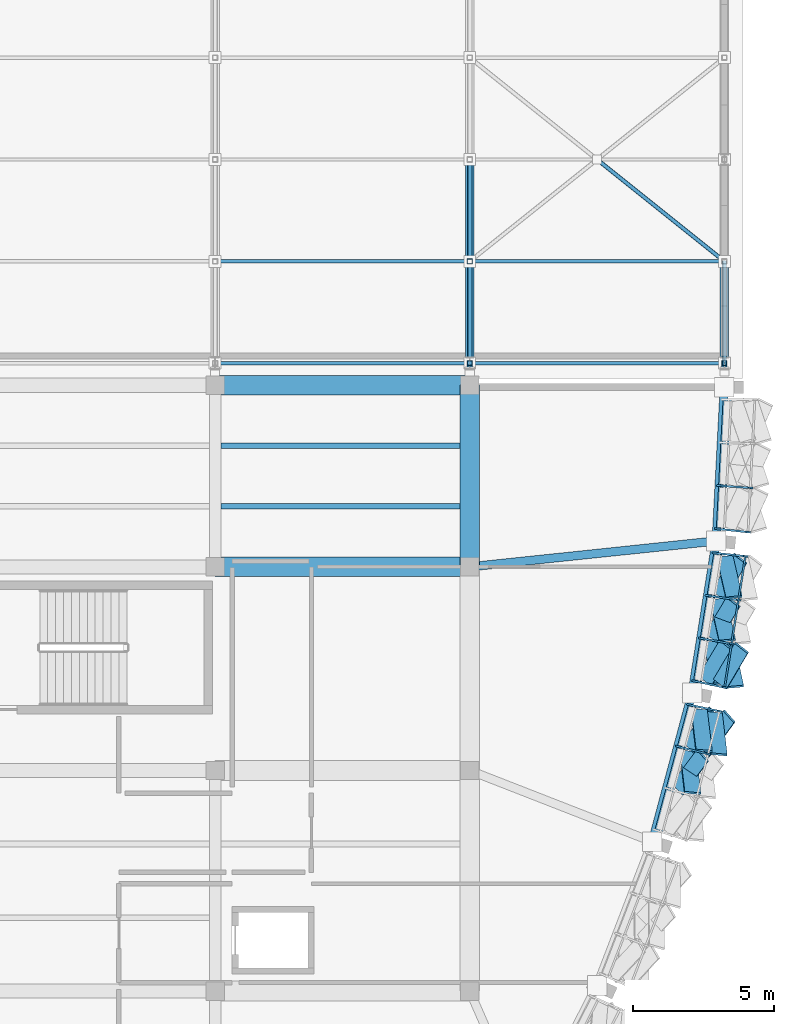
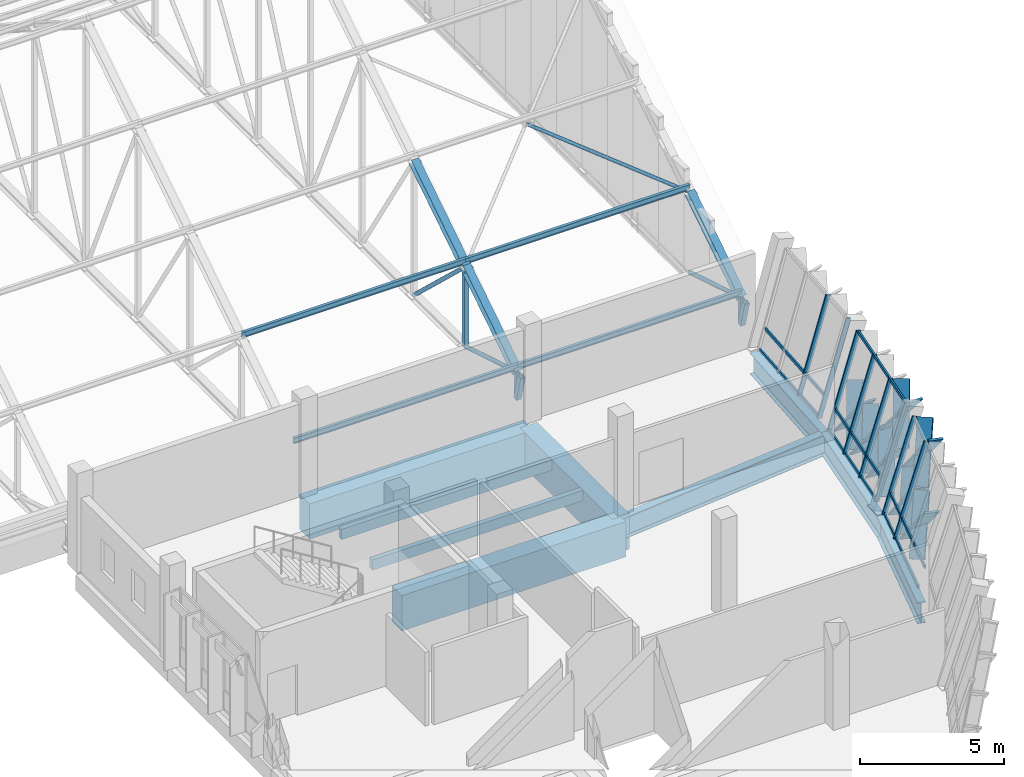
# One storey, part 102 of 182: 45 members, 9 beams, 3 elements without a shape of their own.
"""IFC4 building model written with IfcOpenShell, lengths in metres."""

from ifc_helpers import new_model, si_unit, direction, frame, origin, origin_2d, place, context, subcontext, project, spatial, rectangle, hollow_rectangle, hollow_circle, i_section, extrude, material, material_profile, profile_set, type_object, element, aggregate, save


model = new_model("IFC4")

# Units and contexts
model_context = context("Model", 3, precision=1e-05, world=origin(), true_north=direction((0.0, 1.0)))
body_context = subcontext(model_context, "Body", "Model", "MODEL_VIEW")
ifc_project = project(units=[si_unit("LENGTHUNIT", "METRE"), si_unit("AREAUNIT", "SQUARE_METRE"), si_unit("VOLUMEUNIT", "CUBIC_METRE"), si_unit("PLANEANGLEUNIT", "RADIAN"), si_unit("MASSUNIT", "GRAM", prefix="KILO")], contexts=[model_context])

# Site, building, storey
site_placement = place(None, origin())
site = spatial("IfcSite", under=ifc_project, at=site_placement, CompositionType="ELEMENT")
building_placement = place(site_placement, origin())
building = spatial("IfcBuilding", under=site, at=building_placement, Name="Chiffa Square Polytechnic", CompositionType="ELEMENT")
storey_placement = place(building_placement, frame((0.0, 0.0, 9.60009765625)))
storey = spatial("IfcBuildingStorey", under=building, at=storey_placement, Name="L02", CompositionType="ELEMENT", Elevation=9.60009765625)

# Beams
ifc_material_1 = material(Name="Concrete C40/50", Category="concrete")
ifc_material_profile_1 = material_profile(ifc_material_1, rectangle(XDim=0.699951171875, YDim=1.5, at=origin_2d()), Name="RC 700x1500")
ifc_profile_set_1 = profile_set([ifc_material_profile_1], Name="Concrete C40/50")
beam_type_1 = type_object("IfcBeamType", Name="BM-RC-700X1500", PredefinedType="BEAM", material=ifc_profile_set_1)
for number, where, z_axis, x_axis, name in (
    (1, (157.199951171875, 51.0, -1.070068359375), (1.0, 0.0, 0.0), (0.0, 1.0, 0.0), "Primary floor girder BM-V1-L02-X-1572-0510"),
    (2, (157.199951171875, 57.419921875, -1.070068359375), (1.0, 0.0, 0.0), (0.0, 1.0, 0.0), "Primary floor girder BM-V1-L02-X-1572-0574"),
):
    element("IfcBeam", number, at=place(storey_placement, frame(where, z_axis=z_axis, x_axis=x_axis)), inside=storey, type_object=beam_type_1, Name=name, PredefinedType="BEAM", context=body_context, shape_type="SweptSolid", body=[
        extrude(rectangle(XDim=0.699951171875, YDim=1.5, at=origin_2d()), origin(), (0.0, 0.0, 1.0), 9.0),
    ])
beam_1_placement = place(storey_placement, frame((166.199951171875, 51.0, -1.070068359375), z_axis=(0.0, 1.0, 0.0), x_axis=(-1.0, 0.0, 0.0)))
element("IfcBeam", 3, at=beam_1_placement, inside=storey, type_object=beam_type_1, Name="Primary floor girder BM-V1-L02-Y-1662-0510", PredefinedType="BEAM", context=body_context, shape_type="SweptSolid", body=[
    extrude(rectangle(XDim=0.699951171875, YDim=1.5, at=origin_2d()), origin(), (0.0, 0.0, 1.0), 6.419921875),
])

# Curtain wall, members
ifc_material_2 = material(Name="Aluminium EN AW-6060 T66 and glulam shading", Category="wood")
curtain_wall_type_1 = type_object("IfcCurtainWallType", Name="CW-PROW-LEAN-150", PredefinedType="USERDEFINED", material=ifc_material_2)
curtain_wall_1_placement = place(storey_placement, origin())
curtain_wall_1 = element("IfcCurtainWall", 4, at=curtain_wall_1_placement, inside=storey, type_object=curtain_wall_type_1, Name="Outward-leaning diamond-fin prow curtain wall CW-V1-L02-041", ObjectType="CURTAIN WALL", PredefinedType="USERDEFINED")
ifc_material_3 = material(Name="Aluminium EN AW-6060 T66", Category="aluminium")
ifc_material_profile_2 = material_profile(ifc_material_3, hollow_rectangle(XDim=0.06494140625, YDim=0.179931640625, WallThickness=0.00390625, at=origin_2d()), Name="ALU 65x180x4")
ifc_profile_set_2 = profile_set([ifc_material_profile_2], Name="Aluminium EN AW-6060 T66")
member_type_1 = type_object("IfcMemberType", Name="CWM-ALU-75X180", PredefinedType="MULLION", material=ifc_profile_set_2)
member_1_placement = place(storey_placement, frame((173.557373046875, 44.64794921875, 0.0), z_axis=(0.263753372228, -0.065774354413, 0.962344996838), x_axis=(0.241967796019, 0.970284280863, 0.0)))
member_1 = element("IfcMember", 5, at=member_1_placement, type_object=member_type_1, Name="Leaning prow mullion CW-V1-L02-041-M02", PredefinedType="MULLION", context=body_context, shape_type="SweptSolid", body=[
    extrude(hollow_rectangle(XDim=0.06494140625, YDim=0.179931640625, WallThickness=0.00390625, at=origin_2d()), origin(), (0.0, 0.0, 1.0), 4.093994140625),
])
member_2_placement = place(storey_placement, frame((173.952880859375, 46.1240234375, 0.0), z_axis=(0.266229910948, -0.056644661904, 0.962243740845), x_axis=(0.208107644465, 0.978105928985, 0.0)))
member_2 = element("IfcMember", 6, at=member_2_placement, type_object=member_type_1, Name="Leaning prow mullion CW-V1-L02-041-M03", PredefinedType="MULLION", context=body_context, shape_type="SweptSolid", body=[
    extrude(hollow_rectangle(XDim=0.06494140625, YDim=0.179931640625, WallThickness=0.00390625, at=origin_2d()), origin(), (0.0, 0.0, 1.0), 4.094482421875),
])

curtain_wall_type_2 = type_object("IfcCurtainWallType", Name="CW-PROW-LEAN-300", PredefinedType="USERDEFINED", material=ifc_material_2)
curtain_wall_2_placement = place(storey_placement, origin())
curtain_wall_2 = element("IfcCurtainWall", 7, at=curtain_wall_2_placement, inside=storey, type_object=curtain_wall_type_2, Name="Outward-leaning diamond-fin prow curtain wall CW-V1-L02-042", ObjectType="CURTAIN WALL", PredefinedType="USERDEFINED")
member_3_placement = place(storey_placement, frame((174.131103515625, 46.964111328125, 0.0), z_axis=(0.26617361036, -0.056704996293, 0.962255762541), x_axis=(0.208361843822, 0.978051809486, 0.0)))
member_3 = element("IfcMember", 8, at=member_3_placement, type_object=member_type_1, Name="Leaning prow mullion CW-V1-L02-042-M00", PredefinedType="MULLION", context=body_context, shape_type="SweptSolid", body=[
    extrude(hollow_rectangle(XDim=0.06494140625, YDim=0.179931640625, WallThickness=0.00390625, at=origin_2d()), origin(), (0.0, 0.0, 1.0), 4.094482421875),
])
member_4_placement = place(storey_placement, frame((174.3701171875, 48.47265625, 0.0), z_axis=(0.267744251858, -0.04728757054, 0.962328894541), x_axis=(0.173922960933, 0.984759261779, 0.0)))
member_4 = element("IfcMember", 9, at=member_4_placement, type_object=member_type_1, Name="Leaning prow mullion CW-V1-L02-042-M01", PredefinedType="MULLION", context=body_context, shape_type="SweptSolid", body=[
    extrude(hollow_rectangle(XDim=0.06494140625, YDim=0.179931640625, WallThickness=0.00390625, at=origin_2d()), origin(), (0.0, 0.0, 1.0), 4.09423828125),
])
member_5_placement = place(storey_placement, frame((174.60888671875, 49.981201171875, 0.0), z_axis=(0.269345275205, -0.037924196376, 0.962296668421), x_axis=(0.139426135384, 0.990232474105, 0.0)))
member_5 = element("IfcMember", 10, at=member_5_placement, type_object=member_type_1, Name="Leaning prow mullion CW-V1-L02-042-M02", PredefinedType="MULLION", context=body_context, shape_type="SweptSolid", body=[
    extrude(hollow_rectangle(XDim=0.06494140625, YDim=0.179931640625, WallThickness=0.00390625, at=origin_2d()), origin(), (0.0, 0.0, 1.0), 4.09423828125),
])
member_6_placement = place(storey_placement, frame((174.847900390625, 51.489990234375, 0.0), z_axis=(0.270866500653, -0.028559333879, 0.962193173574), x_axis=(0.104855709143, 0.994487446004, 0.0)))
member_6 = element("IfcMember", 11, at=member_6_placement, type_object=member_type_1, Name="Leaning prow mullion CW-V1-L02-042-M03", PredefinedType="MULLION", context=body_context, shape_type="SweptSolid", body=[
    extrude(hollow_rectangle(XDim=0.06494140625, YDim=0.179931640625, WallThickness=0.00390625, at=origin_2d()), origin(), (0.0, 0.0, 1.0), 4.0947265625),
])

curtain_wall_3_placement = place(storey_placement, origin())
curtain_wall_3 = element("IfcCurtainWall", 12, at=curtain_wall_3_placement, inside=storey, type_object=curtain_wall_type_1, Name="Outward-leaning diamond-fin prow curtain wall CW-V1-L02-043", ObjectType="CURTAIN WALL", PredefinedType="USERDEFINED")
member_7_placement = place(storey_placement, frame((174.93798828125, 52.343994140625, 0.0), z_axis=(0.270866500653, -0.028559333879, 0.962193173574), x_axis=(0.104855709143, 0.994487446004, 0.0)))
member_7 = element("IfcMember", 13, at=member_7_placement, type_object=member_type_1, Name="Leaning prow mullion CW-V1-L02-043-M00", PredefinedType="MULLION", context=body_context, shape_type="SweptSolid", body=[
    extrude(hollow_rectangle(XDim=0.06494140625, YDim=0.179931640625, WallThickness=0.00390625, at=origin_2d()), origin(), (0.0, 0.0, 1.0), 4.0947265625),
])
member_8_placement = place(storey_placement, frame((175.017578125, 53.86962890625, 0.0), z_axis=(0.271369978753, -0.019021538831, 0.962287127469), x_axis=(0.069922921269, 0.997552397161, 0.0)))
member_8 = element("IfcMember", 14, at=member_8_placement, type_object=member_type_1, Name="Leaning prow mullion CW-V1-L02-043-M01", PredefinedType="MULLION", context=body_context, shape_type="SweptSolid", body=[
    extrude(hollow_rectangle(XDim=0.06494140625, YDim=0.179931640625, WallThickness=0.00390625, at=origin_2d()), origin(), (0.0, 0.0, 1.0), 4.09423828125),
])

# Member
ifc_material_4 = material(Name="Glulam GL28h", Category="wood")
ifc_material_profile_3 = material_profile(ifc_material_4, rectangle(XDim=0.080078125, YDim=0.580078125, at=origin_2d()), Name="GL28h 80x580")
ifc_profile_set_3 = profile_set([ifc_material_profile_3], Name="Glulam GL28h")
member_type_2 = type_object("IfcMemberType", Name="CWM-GL-80X580", PredefinedType="MULLION", material=ifc_profile_set_3)
member_9_placement = place(storey_placement, frame((173.556884765625, 43.153076171875, 0.039794921875), z_axis=(0.362853260386, 0.486317877663, 0.794878879637), x_axis=(-0.66658889486, -0.460602028966, 0.586093009822)))
member_9 = element("IfcMember", 15, at=member_9_placement, type_object=member_type_2, Name="Diamond glulam fin CW-V1-L02-041-DF03A", PredefinedType="MULLION", context=body_context, shape_type="SweptSolid", body=[
    extrude(rectangle(XDim=0.080078125, YDim=0.580078125, at=origin_2d()), origin(), (0.0, 0.0, 1.0), 2.42822265625),
])

member_10_placement = place(storey_placement, frame((173.908935546875, 44.467041015625, 0.039794921875), z_axis=(0.070884560523, -0.602569037182, 0.794912532615), x_axis=(0.167340155107, 0.792806517153, 0.586050423469)))
member_10 = element("IfcMember", 16, at=member_10_placement, type_object=member_type_2, Name="Diamond glulam fin CW-V1-L02-041-DF03B", PredefinedType="MULLION", context=body_context, shape_type="SweptSolid", body=[
    extrude(rectangle(XDim=0.080078125, YDim=0.580078125, at=origin_2d()), origin(), (0.0, 0.0, 1.0), 2.42822265625),
])

member_11_placement = place(storey_placement, frame((173.951904296875, 44.62890625, 0.039794921875), z_axis=(0.363187880563, 0.491989975434, 0.791227165537), x_axis=(-0.662132470876, -0.461163268117, 0.590685221714)))
member_11 = element("IfcMember", 17, at=member_11_placement, type_object=member_type_2, Name="Diamond glulam fin CW-V1-L02-041-DF05A", PredefinedType="MULLION", context=body_context, shape_type="SweptSolid", body=[
    extrude(rectangle(XDim=0.080078125, YDim=0.580078125, at=origin_2d()), origin(), (0.0, 0.0, 1.0), 2.439453125),
])

member_12_placement = place(storey_placement, frame((174.304931640625, 45.943115234375, 0.039794921875), z_axis=(0.073211775874, -0.597711036413, 0.798361793189), x_axis=(0.163142989111, 0.796904478559, 0.581659365227)))
member_12 = element("IfcMember", 18, at=member_12_placement, type_object=member_type_2, Name="Diamond glulam fin CW-V1-L02-041-DF05B", PredefinedType="MULLION", context=body_context, shape_type="SweptSolid", body=[
    extrude(rectangle(XDim=0.080078125, YDim=0.580078125, at=origin_2d()), origin(), (0.0, 0.0, 1.0), 2.417724609375),
])

member_13_placement = place(storey_placement, frame((174.48193359375, 44.498046875, 1.969970703125), z_axis=(0.363524283743, 0.49663040519, 0.788167707896), x_axis=(-0.658519305911, -0.461448685819, 0.594489221179)))
member_13 = element("IfcMember", 19, at=member_13_placement, type_object=member_type_2, Name="Diamond glulam fin CW-V1-L02-041-DF06A", PredefinedType="MULLION", context=body_context, shape_type="SweptSolid", body=[
    extrude(rectangle(XDim=0.080078125, YDim=0.580078125, at=origin_2d()), origin(), (0.0, 0.0, 1.0), 2.44873046875),
])

member_14_placement = place(storey_placement, frame((174.837890625, 45.8291015625, 1.969970703125), z_axis=(0.071324960853, -0.602087292955, 0.795238103728), x_axis=(0.166657575077, 0.793254802149, 0.58563817459)))
member_14 = element("IfcMember", 20, at=member_14_placement, type_object=member_type_2, Name="Diamond glulam fin CW-V1-L02-041-DF06B", PredefinedType="MULLION", context=body_context, shape_type="SweptSolid", body=[
    extrude(rectangle(XDim=0.080078125, YDim=0.580078125, at=origin_2d()), origin(), (0.0, 0.0, 1.0), 2.4267578125),
])

member_15_placement = place(storey_placement, frame((174.52587890625, 46.986083984375, 0.039794921875), z_axis=(0.30991652577, 0.515887776111, 0.798631047177), x_axis=(-0.540300805734, -0.595608907841, 0.594411531032)))
member_15 = element("IfcMember", 21, at=member_15_placement, type_object=member_type_2, Name="Diamond glulam fin CW-V1-L02-042-DF01A", PredefinedType="MULLION", context=body_context, shape_type="SweptSolid", body=[
    extrude(rectangle(XDim=0.080078125, YDim=0.580078125, at=origin_2d()), origin(), (0.0, 0.0, 1.0), 2.416748046875),
])

member_16_placement = place(storey_placement, frame((174.738037109375, 48.3291015625, 0.039794921875), z_axis=(0.13202290915, -0.596955746907, 0.791336709431), x_axis=(-0.016035619279, 0.796934028828, 0.603853469486)))
member_16 = element("IfcMember", 22, at=member_16_placement, type_object=member_type_2, Name="Diamond glulam fin CW-V1-L02-042-DF01B", PredefinedType="MULLION", context=body_context, shape_type="SweptSolid", body=[
    extrude(rectangle(XDim=0.080078125, YDim=0.580078125, at=origin_2d()), origin(), (0.0, 0.0, 1.0), 2.439208984375),
])

member_17_placement = place(storey_placement, frame((175.06005859375, 46.873046875, 1.969970703125), z_axis=(0.309901259541, 0.520895720989, 0.795379693725), x_axis=(-0.536106846727, -0.595154196703, 0.59864925544)))
member_17 = element("IfcMember", 23, at=member_17_placement, type_object=member_type_2, Name="Diamond glulam fin CW-V1-L02-042-DF02A", PredefinedType="MULLION", context=body_context, shape_type="SweptSolid", body=[
    extrude(rectangle(XDim=0.080078125, YDim=0.580078125, at=origin_2d()), origin(), (0.0, 0.0, 1.0), 2.426513671875),
])

member_18_placement = place(storey_placement, frame((175.27490234375, 48.23291015625, 1.969970703125), z_axis=(0.130344568983, -0.601260448662, 0.788350281418), x_axis=(-0.012083692412, 0.79411132639, 0.607652191371)))
member_18 = element("IfcMember", 24, at=member_18_placement, type_object=member_type_2, Name="Diamond glulam fin CW-V1-L02-042-DF02B", PredefinedType="MULLION", context=body_context, shape_type="SweptSolid", body=[
    extrude(rectangle(XDim=0.080078125, YDim=0.580078125, at=origin_2d()), origin(), (0.0, 0.0, 1.0), 2.447998046875),
])

member_19_placement = place(storey_placement, frame((174.764892578125, 48.4951171875, 0.039794921875), z_axis=(0.309837448398, 0.521423943507, 0.795058379434), x_axis=(-0.535625831226, -0.595168474642, 0.599065485331)))
member_19 = element("IfcMember", 25, at=member_19_placement, type_object=member_type_2, Name="Diamond glulam fin CW-V1-L02-042-DF03A", PredefinedType="MULLION", context=body_context, shape_type="SweptSolid", body=[
    extrude(rectangle(XDim=0.080078125, YDim=0.580078125, at=origin_2d()), origin(), (0.0, 0.0, 1.0), 2.427734375),
])

member_20_placement = place(storey_placement, frame((174.97705078125, 49.837890625, 0.039794921875), z_axis=(0.133823672435, -0.591800252407, 0.794898538146), x_axis=(-0.020583064702, 0.800280550956, 0.59927237314)))
member_20 = element("IfcMember", 26, at=member_20_placement, type_object=member_type_2, Name="Diamond glulam fin CW-V1-L02-042-DF03B", PredefinedType="MULLION", context=body_context, shape_type="SweptSolid", body=[
    extrude(rectangle(XDim=0.080078125, YDim=0.580078125, at=origin_2d()), origin(), (0.0, 0.0, 1.0), 2.42822265625),
])

member_21_placement = place(storey_placement, frame((175.00390625, 50.00390625, 0.039794921875), z_axis=(0.310000938431, 0.526911507879, 0.791368233528), x_axis=(-0.531180322778, -0.59435437615, 0.603813166671)))
member_21 = element("IfcMember", 27, at=member_21_placement, type_object=member_type_2, Name="Diamond glulam fin CW-V1-L02-042-DF05A", PredefinedType="MULLION", context=body_context, shape_type="SweptSolid", body=[
    extrude(rectangle(XDim=0.080078125, YDim=0.580078125, at=origin_2d()), origin(), (0.0, 0.0, 1.0), 2.43896484375),
])

member_22_placement = place(storey_placement, frame((175.216064453125, 51.346923828125, 0.039794921875), z_axis=(0.135634875636, -0.586572865001, 0.798458173329), x_axis=(-0.025255739343, 0.803596752714, 0.594638046762)))
member_22 = element("IfcMember", 28, at=member_22_placement, type_object=member_type_2, Name="Diamond glulam fin CW-V1-L02-042-DF05B", PredefinedType="MULLION", context=body_context, shape_type="SweptSolid", body=[
    extrude(rectangle(XDim=0.080078125, YDim=0.580078125, at=origin_2d()), origin(), (0.0, 0.0, 1.0), 2.41748046875),
])

ifc_material_profile_4 = material_profile(ifc_material_3, hollow_rectangle(XDim=0.06494140625, YDim=0.139892578125, WallThickness=0.00390625, at=origin_2d()), Name="ALU 65x140x4")
ifc_profile_set_4 = profile_set([ifc_material_profile_4], Name="Aluminium EN AW-6060 T66")
member_type_3 = type_object("IfcMemberType", Name="CWT-ALU-75X140", PredefinedType="USERDEFINED", material=ifc_profile_set_4)
member_23_placement = place(storey_placement, frame((172.77685546875, 41.6923828125, 0.039794921875), z_axis=(0.258911724475, 0.96590098816, 0.0), x_axis=(-0.96590098816, 0.258911724475, 0.0)))
member_23 = element("IfcMember", 29, at=member_23_placement, type_object=member_type_3, Name="Leaning prow transom CW-V1-L02-041-T01", ObjectType="TRANSOM", PredefinedType="USERDEFINED", context=body_context, shape_type="SweptSolid", body=[
    extrude(hollow_rectangle(XDim=0.06494140625, YDim=0.139892578125, WallThickness=0.00390625, at=origin_2d()), origin(), (0.0, 0.0, 1.0), 4.58544921875),
])

member_24_placement = place(storey_placement, frame((172.99462890625, 41.621826171875, 0.849853515625), z_axis=(0.258951410304, 0.965890349419, 0.0), x_axis=(-0.965890349419, 0.258951410304, 0.0)))
member_24 = element("IfcMember", 30, at=member_24_placement, type_object=member_type_3, Name="Leaning prow transom CW-V1-L02-041-T02", ObjectType="TRANSOM", PredefinedType="USERDEFINED", context=body_context, shape_type="SweptSolid", body=[
    extrude(hollow_rectangle(XDim=0.06494140625, YDim=0.139892578125, WallThickness=0.00390625, at=origin_2d()), origin(), (0.0, 0.0, 1.0), 4.609375),
])

aggregate(curtain_wall_1, [member_1, member_2, member_23, member_24, member_9, member_10, member_11, member_12, member_13, member_14])

member_25_placement = place(storey_placement, frame((174.14208984375, 46.961669921875, 0.039794921875), z_axis=(0.156490443364, 0.987679472874, 0.0), x_axis=(-0.987679472874, 0.156490443364, 0.0)))
member_25 = element("IfcMember", 31, at=member_25_placement, type_object=member_type_3, Name="Leaning prow transom CW-V1-L02-042-T01", ObjectType="TRANSOM", PredefinedType="USERDEFINED", context=body_context, shape_type="SweptSolid", body=[
    extrude(hollow_rectangle(XDim=0.06494140625, YDim=0.139892578125, WallThickness=0.00390625, at=origin_2d()), origin(), (0.0, 0.0, 1.0), 4.58349609375),
])

member_26_placement = place(storey_placement, frame((174.3662109375, 46.913818359375, 0.849853515625), z_axis=(0.156514871971, 0.987675602033, 0.0), x_axis=(-0.987675602033, 0.156514871971, 0.0)))
member_26 = element("IfcMember", 32, at=member_26_placement, type_object=member_type_3, Name="Leaning prow transom CW-V1-L02-042-T02", ObjectType="TRANSOM", PredefinedType="USERDEFINED", context=body_context, shape_type="SweptSolid", body=[
    extrude(hollow_rectangle(XDim=0.06494140625, YDim=0.139892578125, WallThickness=0.00390625, at=origin_2d()), origin(), (0.0, 0.0, 1.0), 4.60791015625),
])

member_27_placement = place(storey_placement, frame((175.2099609375, 46.734375, 3.89990234375), z_axis=(0.15663236648, 0.987656975762, 0.0), x_axis=(-0.987656975762, 0.15663236648, 0.0)))
member_27 = element("IfcMember", 33, at=member_27_placement, type_object=member_type_3, Name="Leaning prow transom CW-V1-L02-042-T03", ObjectType="TRANSOM", PredefinedType="USERDEFINED", context=body_context, shape_type="SweptSolid", body=[
    extrude(hollow_rectangle(XDim=0.06494140625, YDim=0.139892578125, WallThickness=0.00390625, at=origin_2d()), origin(), (0.0, 0.0, 1.0), 4.697998046875),
])

aggregate(curtain_wall_2, [member_3, member_4, member_5, member_6, member_25, member_26, member_27, member_15, member_16, member_17, member_18, member_19, member_20, member_21, member_22])

member_28_placement = place(storey_placement, frame((174.94921875, 52.3427734375, 0.039794921875), z_axis=(0.052136759559, 0.998639954289, 0.0), x_axis=(-0.998639954289, 0.052136759559, 0.0)))
member_28 = element("IfcMember", 34, at=member_28_placement, type_object=member_type_3, Name="Leaning prow transom CW-V1-L02-043-T01", ObjectType="TRANSOM", PredefinedType="USERDEFINED", context=body_context, shape_type="SweptSolid", body=[
    extrude(hollow_rectangle(XDim=0.06494140625, YDim=0.139892578125, WallThickness=0.00390625, at=origin_2d()), origin(), (0.0, 0.0, 1.0), 4.58447265625),
])

member_29_placement = place(storey_placement, frame((175.17724609375, 52.31884765625, 0.849853515625), z_axis=(0.052130611715, 0.998640275235, 0.0), x_axis=(-0.998640275235, 0.052130611715, 0.0)))
member_29 = element("IfcMember", 35, at=member_29_placement, type_object=member_type_3, Name="Leaning prow transom CW-V1-L02-043-T02", ObjectType="TRANSOM", PredefinedType="USERDEFINED", context=body_context, shape_type="SweptSolid", body=[
    extrude(hollow_rectangle(XDim=0.06494140625, YDim=0.139892578125, WallThickness=0.00390625, at=origin_2d()), origin(), (0.0, 0.0, 1.0), 4.6083984375),
])

aggregate(curtain_wall_3, [member_7, member_8, member_28, member_29])

# Beams
ifc_material_profile_5 = material_profile(ifc_material_4, rectangle(XDim=0.199951171875, YDim=0.43994140625, at=origin_2d()), Name="GL28h 200x440")
ifc_profile_set_5 = profile_set([ifc_material_profile_5], Name="Glulam GL28h")
beam_type_2 = type_object("IfcBeamType", Name="JST-GL-200X440", PredefinedType="JOIST", material=ifc_profile_set_5)
for number, where, z_axis, x_axis, name in (
    (36, (157.39794921875, 53.139892578125, -0.5400390625), (1.0, 0.0, 0.0), (0.0, 1.0, 0.0), "Secondary floor joist JST-V1-L02-1572-0531"),
    (37, (157.39794921875, 55.280029296875, -0.5400390625), (1.0, 0.0, 0.0), (0.0, 1.0, 0.0), "Secondary floor joist JST-V1-L02-1572-0553"),
):
    element("IfcBeam", number, at=place(storey_placement, frame(where, z_axis=z_axis, x_axis=x_axis)), inside=storey, type_object=beam_type_2, Name=name, PredefinedType="JOIST", context=body_context, shape_type="SweptSolid", body=[
        extrude(rectangle(XDim=0.199951171875, YDim=0.43994140625, at=origin_2d()), origin(), (0.0, 0.0, 1.0), 8.4541015625),
    ])

# Members
ifc_material_5 = material(Name="Steel S355", Category="steel")
ifc_material_profile_6 = material_profile(ifc_material_5, hollow_circle(Radius=0.06982421875, WallThickness=0.008056640625, at=origin_2d()), Name="CHS 139.7x8")
ifc_profile_set_6 = profile_set([ifc_material_profile_6], Name="Steel S355")
member_type_4 = type_object("IfcMemberType", Name="MEM-BRC-CHS140", PredefinedType="BRACE", material=ifc_profile_set_6)
member_30_placement = place(storey_placement, frame((170.699951171875, 65.39990234375, 6.0498046875), z_axis=(0.725259063679, -0.58018364225, -0.370656487623), x_axis=(0.624679547852, 0.780881208953, 0.0)))
element("IfcMember", 38, at=member_30_placement, inside=storey, type_object=member_type_4, Name="Workshop split roof X-brace segment BR-V2-RF-07S2B", PredefinedType="BRACE", context=body_context, shape_type="SweptSolid", body=[
    extrude(hollow_circle(Radius=0.06982421875, WallThickness=0.008056640625, at=origin_2d()), origin(), (0.0, 0.0, 1.0), 6.20458984375),
])
ifc_material_profile_7 = material_profile(ifc_material_5, i_section(OverallWidth=0.300048828125, OverallDepth=0.31005859375, WebThickness=0.009033203125, FlangeThickness=0.015380859375, FilletRadius=0.027099609375, at=origin_2d()), Name="HEA 320")
ifc_profile_set_7 = profile_set([ifc_material_profile_7], Name="Steel S355")
member_type_5 = type_object("IfcMemberType", Name="MEM-CHORD-HEA320", PredefinedType="CHORD", material=ifc_profile_set_7)
member_31_placement = place(storey_placement, frame((166.199951171875, 58.199951171875, 1.449951171875), z_axis=(0.0, 0.84269770024, 0.538387022512), x_axis=(-1.0, 0.0, 0.0)))
element("IfcMember", 39, at=member_31_placement, inside=storey, type_object=member_type_5, Name="Workshop roof truss top chord TCT-V2-07-01", PredefinedType="CHORD", context=body_context, shape_type="SweptSolid", body=[
    extrude(i_section(OverallWidth=0.300048828125, OverallDepth=0.31005859375, WebThickness=0.009033203125, FlangeThickness=0.015380859375, FilletRadius=0.027099609375, at=origin_2d()), origin(), (0.0, 0.0, 1.0), 4.272216796875),
])
member_32_placement = place(storey_placement, frame((166.199951171875, 61.800048828125, 3.75), z_axis=(0.0, 0.84270706373, 0.538372366248), x_axis=(-1.0, 0.0, 0.0)))
element("IfcMember", 40, at=member_32_placement, inside=storey, type_object=member_type_5, Name="Workshop roof truss top chord TCT-V2-07-02", PredefinedType="CHORD", context=body_context, shape_type="SweptSolid", body=[
    extrude(i_section(OverallWidth=0.300048828125, OverallDepth=0.31005859375, WebThickness=0.009033203125, FlangeThickness=0.015380859375, FilletRadius=0.027099609375, at=origin_2d()), origin(), (0.0, 0.0, 1.0), 4.271728515625),
])
member_33_placement = place(storey_placement, frame((175.199951171875, 58.199951171875, 1.449951171875), z_axis=(0.0, 0.84269770024, 0.538387022512), x_axis=(-1.0, 0.0, 0.0)))
element("IfcMember", 41, at=member_33_placement, inside=storey, type_object=member_type_5, Name="Workshop roof truss top chord TCT-V2-08-01", PredefinedType="CHORD", context=body_context, shape_type="SweptSolid", body=[
    extrude(i_section(OverallWidth=0.300048828125, OverallDepth=0.31005859375, WebThickness=0.009033203125, FlangeThickness=0.015380859375, FilletRadius=0.027099609375, at=origin_2d()), origin(), (0.0, 0.0, 1.0), 4.272216796875),
])
ifc_material_profile_8 = material_profile(ifc_material_5, i_section(OverallWidth=0.1201171875, OverallDepth=0.239990234375, WebThickness=0.006103515625, FlangeThickness=0.009765625, FilletRadius=0.014892578125, at=origin_2d()), Name="IPE 240")
ifc_profile_set_8 = profile_set([ifc_material_profile_8], Name="Steel S355")
member_type_6 = type_object("IfcMemberType", Name="MEM-PUR-IPE240", PredefinedType="PURLIN", material=ifc_profile_set_8)
for number, where, z_axis, x_axis, name in (
    (42, (157.199951171875, 58.199951171875, 1.699951171875), (1.0, 0.0, 0.0), (0.0, 1.0, 0.0), "Workshop steel roof purlin PU-V2-06-01"),
    (43, (157.199951171875, 61.800048828125, 4.0), (1.0, 0.0, 0.0), (0.0, 1.0, 0.0), "Workshop steel roof purlin PU-V2-06-02"),
    (44, (166.199951171875, 58.199951171875, 1.699951171875), (1.0, 0.0, 0.0), (0.0, 1.0, 0.0), "Workshop steel roof purlin PU-V2-07-01"),
    (45, (166.199951171875, 61.800048828125, 4.0), (1.0, 0.0, 0.0), (0.0, 1.0, 0.0), "Workshop steel roof purlin PU-V2-07-02"),
):
    element("IfcMember", number, at=place(storey_placement, frame(where, z_axis=z_axis, x_axis=x_axis)), inside=storey, type_object=member_type_6, Name=name, PredefinedType="PURLIN", context=body_context, shape_type="SweptSolid", body=[
        extrude(i_section(OverallWidth=0.1201171875, OverallDepth=0.239990234375, WebThickness=0.006103515625, FlangeThickness=0.009765625, FilletRadius=0.014892578125, at=origin_2d()), origin(), (0.0, 0.0, 1.0), 9.0),
    ])
ifc_material_profile_9 = material_profile(ifc_material_5, hollow_rectangle(XDim=0.199951171875, YDim=0.199951171875, WallThickness=0.010009765625, at=origin_2d()), Name="RHS 200x200x10")
ifc_profile_set_9 = profile_set([ifc_material_profile_9], Name="Steel S355")
member_type_7 = type_object("IfcMemberType", Name="MEM-STRUT-RHS200", PredefinedType="STRUT", material=ifc_profile_set_9)
for number, where, z_axis, x_axis, name in (
    (46, (166.199951171875, 58.199951171875, 0.349853515625), (0.0, -0.263135522356, 0.964758880174), (1.0, 0.0, 0.0), "Eave outrigger strut OS-V2-S-07"),
    (47, (175.199951171875, 58.199951171875, 0.349853515625), (0.0, -0.263135522356, 0.964758880174), (1.0, 0.0, 0.0), "Eave outrigger strut OS-V2-S-08"),
):
    element("IfcMember", number, at=place(storey_placement, frame(where, z_axis=z_axis, x_axis=x_axis)), inside=storey, type_object=member_type_7, Name=name, PredefinedType="STRUT", context=body_context, shape_type="SweptSolid", body=[
        extrude(hollow_rectangle(XDim=0.199951171875, YDim=0.199951171875, WallThickness=0.010009765625, at=origin_2d()), origin(), (0.0, 0.0, 1.0), 1.140380859375),
    ])
ifc_material_profile_10 = material_profile(ifc_material_5, hollow_circle(Radius=0.084228515625, WallThickness=0.010009765625, at=origin_2d()), Name="CHS 168.3x10")
ifc_profile_set_10 = profile_set([ifc_material_profile_10], Name="Steel S355")
member_type_8 = type_object("IfcMemberType", Name="MEM-WEB-CHS168", PredefinedType="MEMBER", material=ifc_profile_set_10)
member_34_placement = place(storey_placement, frame((166.199951171875, 58.199951171875, 1.449951171875), z_axis=(0.0, 0.956346536322, -0.292235012388), x_axis=(-1.0, 0.0, 0.0)))
element("IfcMember", 48, at=member_34_placement, inside=storey, type_object=member_type_8, Name="Workshop roof truss diagonal TWD-V2-07-01", PredefinedType="MEMBER", context=body_context, shape_type="SweptSolid", body=[
    extrude(hollow_circle(Radius=0.084228515625, WallThickness=0.010009765625, at=origin_2d()), origin(), (0.0, 0.0, 1.0), 3.764404296875),
])
member_35_placement = place(storey_placement, frame((166.199951171875, 61.800048828125, 3.75), z_axis=(0.0, 0.726984438285, -0.686653935029), x_axis=(-1.0, 0.0, 0.0)))
element("IfcMember", 49, at=member_35_placement, inside=storey, type_object=member_type_8, Name="Workshop roof truss diagonal TWD-V2-07-02", PredefinedType="MEMBER", context=body_context, shape_type="SweptSolid", body=[
    extrude(hollow_circle(Radius=0.084228515625, WallThickness=0.010009765625, at=origin_2d()), origin(), (0.0, 0.0, 1.0), 4.95166015625),
])
member_36_placement = place(storey_placement, frame((175.199951171875, 58.199951171875, 1.449951171875), z_axis=(0.0, 0.956346536322, -0.292235012388), x_axis=(-1.0, 0.0, 0.0)))
element("IfcMember", 50, at=member_36_placement, inside=storey, type_object=member_type_8, Name="Workshop roof truss diagonal TWD-V2-08-01", PredefinedType="MEMBER", context=body_context, shape_type="SweptSolid", body=[
    extrude(hollow_circle(Radius=0.084228515625, WallThickness=0.010009765625, at=origin_2d()), origin(), (0.0, 0.0, 1.0), 3.764404296875),
])
ifc_material_profile_11 = material_profile(ifc_material_5, hollow_rectangle(XDim=0.179931640625, YDim=0.179931640625, WallThickness=0.010009765625, at=origin_2d()), Name="RHS 180x180x10")
ifc_profile_set_11 = profile_set([ifc_material_profile_11], Name="Steel S355")
member_type_9 = type_object("IfcMemberType", Name="MEM-WEB-RHS180", PredefinedType="MEMBER", material=ifc_profile_set_11)
member_37_placement = place(storey_placement, frame((166.199951171875, 58.199951171875, 0.349853515625), z_axis=(0.0, 0.0, 1.0), x_axis=(1.0, 0.0, 0.0)))
element("IfcMember", 51, at=member_37_placement, inside=storey, type_object=member_type_9, Name="Workshop roof truss vertical TWV-V2-07-01", PredefinedType="MEMBER", context=body_context, shape_type="SweptSolid", body=[
    extrude(hollow_rectangle(XDim=0.179931640625, YDim=0.179931640625, WallThickness=0.010009765625, at=origin_2d()), origin(), (0.0, 0.0, 1.0), 1.10009765625),
])
member_38_placement = place(storey_placement, frame((166.199951171875, 61.800048828125, 0.349853515625), z_axis=(0.0, 0.0, 1.0), x_axis=(1.0, 0.0, 0.0)))
element("IfcMember", 52, at=member_38_placement, inside=storey, type_object=member_type_9, Name="Workshop roof truss vertical TWV-V2-07-02", PredefinedType="MEMBER", context=body_context, shape_type="SweptSolid", body=[
    extrude(hollow_rectangle(XDim=0.179931640625, YDim=0.179931640625, WallThickness=0.010009765625, at=origin_2d()), origin(), (0.0, 0.0, 1.0), 3.400146484375),
])
member_39_placement = place(storey_placement, frame((175.199951171875, 58.199951171875, 0.349853515625), z_axis=(0.0, 0.0, 1.0), x_axis=(1.0, 0.0, 0.0)))
element("IfcMember", 53, at=member_39_placement, inside=storey, type_object=member_type_9, Name="Workshop roof truss vertical TWV-V2-08-01", PredefinedType="MEMBER", context=body_context, shape_type="SweptSolid", body=[
    extrude(hollow_rectangle(XDim=0.179931640625, YDim=0.179931640625, WallThickness=0.010009765625, at=origin_2d()), origin(), (0.0, 0.0, 1.0), 1.10009765625),
])

# Beams
ifc_material_profile_12 = material_profile(ifc_material_5, i_section(OverallWidth=0.300048828125, OverallDepth=0.89990234375, WebThickness=0.0185546875, FlangeThickness=0.031982421875, FilletRadius=0.030029296875, at=origin_2d()), Name="HEB 900")
ifc_profile_set_12 = profile_set([ifc_material_profile_12], Name="Steel S355")
beam_type_3 = type_object("IfcBeamType", Name="TG-STL-HEB900", PredefinedType="USERDEFINED", material=ifc_profile_set_12)
beam_2_placement = place(storey_placement, frame((172.655029296875, 41.281005859375, -0.77001953125), z_axis=(0.258826503685, 0.965923827737, 0.0), x_axis=(-0.965923827737, 0.258826503685, 0.0)))
element("IfcBeam", 54, at=beam_2_placement, inside=storey, type_object=beam_type_3, Name="Prow perimeter transfer girder TG-V1-L02-15", ObjectType="TRANSFER GIRDER", PredefinedType="USERDEFINED", context=body_context, shape_type="SweptSolid", body=[
    extrude(i_section(OverallWidth=0.300048828125, OverallDepth=0.89990234375, WebThickness=0.0185546875, FlangeThickness=0.031982421875, FilletRadius=0.030029296875, at=origin_2d()), origin(), (0.0, 0.0, 1.0), 5.443603515625),
])
beam_3_placement = place(storey_placement, frame((174.06396484375, 46.5390625, -0.77001953125), z_axis=(0.156363343079, 0.987699602582, 0.0), x_axis=(-0.987699602582, 0.156363343079, 0.0)))
element("IfcBeam", 55, at=beam_3_placement, inside=storey, type_object=beam_type_3, Name="Prow perimeter transfer girder TG-V1-L02-16", ObjectType="TRANSFER GIRDER", PredefinedType="USERDEFINED", context=body_context, shape_type="SweptSolid", body=[
    extrude(i_section(OverallWidth=0.300048828125, OverallDepth=0.89990234375, WebThickness=0.0185546875, FlangeThickness=0.031982421875, FilletRadius=0.030029296875, at=origin_2d()), origin(), (0.0, 0.0, 1.0), 5.44287109375),
])
beam_4_placement = place(storey_placement, frame((174.9150390625, 51.9150390625, -0.77001953125), z_axis=(0.052349288095, 0.998628835973, 0.0), x_axis=(-0.998628835973, 0.052349288095, 0.0)))
element("IfcBeam", 56, at=beam_4_placement, inside=storey, type_object=beam_type_3, Name="Prow perimeter transfer girder TG-V1-L02-17", ObjectType="TRANSFER GIRDER", PredefinedType="USERDEFINED", context=body_context, shape_type="SweptSolid", body=[
    extrude(i_section(OverallWidth=0.300048828125, OverallDepth=0.89990234375, WebThickness=0.0185546875, FlangeThickness=0.031982421875, FilletRadius=0.030029296875, at=origin_2d()), origin(), (0.0, 0.0, 1.0), 5.442626953125),
])
beam_5_placement = place(storey_placement, frame((174.9150390625, 51.9150390625, -0.77001953125), z_axis=(-0.994533201979, -0.104420832031, 0.0), x_axis=(0.104420832031, -0.994533201979, 0.0)))
element("IfcBeam", 57, at=beam_5_placement, inside=storey, type_object=beam_type_3, Name="Prow radial transfer girder TG-V1-RAD-L02-17", ObjectType="TRANSFER GIRDER", PredefinedType="USERDEFINED", context=body_context, shape_type="SweptSolid", body=[
    extrude(i_section(OverallWidth=0.300048828125, OverallDepth=0.89990234375, WebThickness=0.0185546875, FlangeThickness=0.031982421875, FilletRadius=0.030029296875, at=origin_2d()), origin(), (0.0, 0.0, 1.0), 8.762939453125),
])

save(model, "model.ifc")
